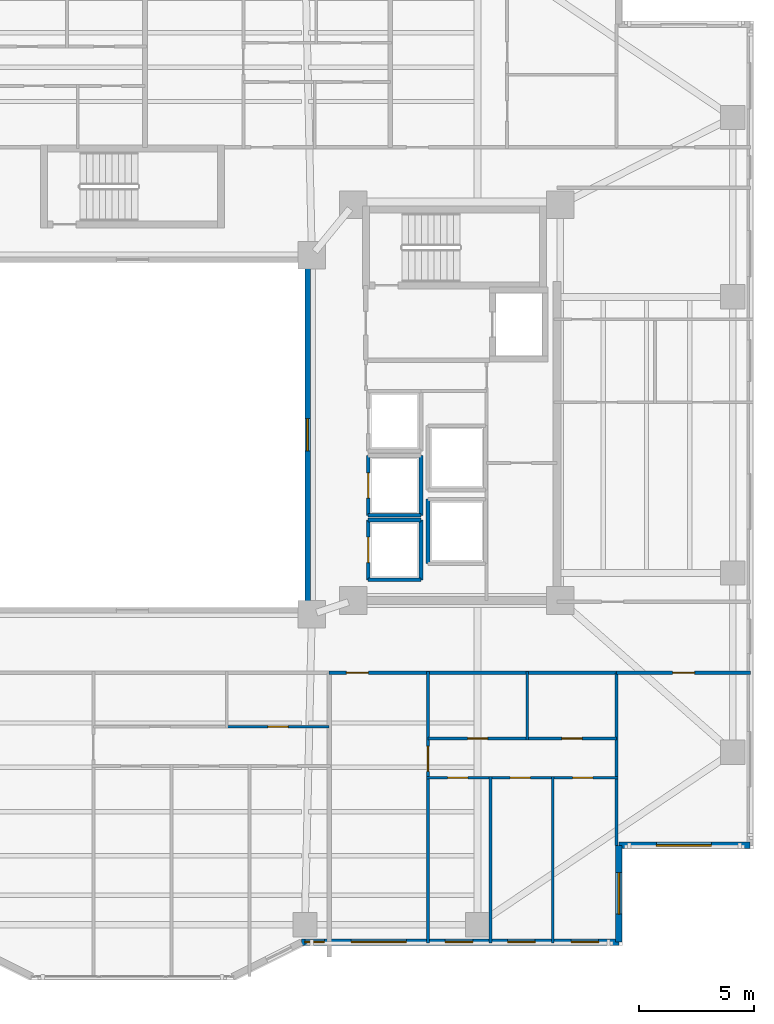
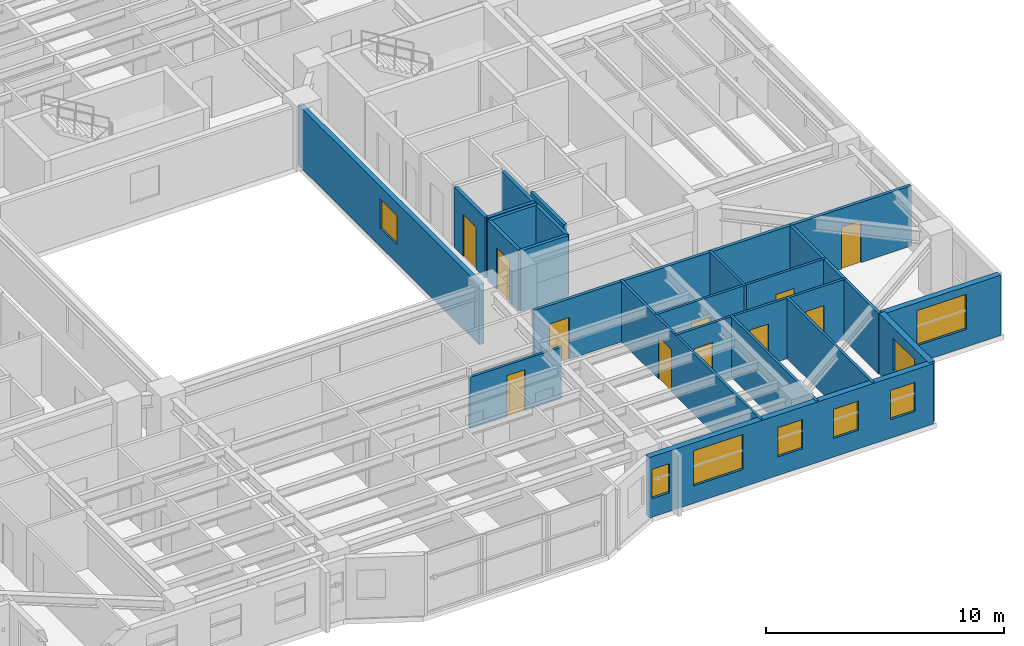
# One storey, part 8 of 19: 23 walls, 11 doors, 8 windows, 19 openings.
"""IFC4 building model written with IfcOpenShell, lengths in metres."""

from ifc_helpers import new_model, si_unit, direction, frame, frame_2d, origin, place, context, subcontext, project, spatial, rectangle, extrude, material, layer, layer_set, type_object, element, fill, save


model = new_model("IFC4")

# Units and contexts
model_context = context("Model", 3, precision=1e-05, world=origin(), true_north=direction((0.0, 1.0)))
body_context = subcontext(model_context, "Body", "Model", "MODEL_VIEW")
ifc_project = project(units=[si_unit("LENGTHUNIT", "METRE"), si_unit("AREAUNIT", "SQUARE_METRE"), si_unit("VOLUMEUNIT", "CUBIC_METRE"), si_unit("PLANEANGLEUNIT", "RADIAN"), si_unit("MASSUNIT", "GRAM", prefix="KILO")], contexts=[model_context])

# Site, building, storey
site_placement = place(None, origin())
site = spatial("IfcSite", under=ifc_project, at=site_placement, CompositionType="ELEMENT")
building_placement = place(site_placement, origin())
building = spatial("IfcBuilding", under=site, at=building_placement, Name="Tarnavaz Court Tower", CompositionType="ELEMENT")
storey_placement = place(building_placement, frame((0.0, 0.0, 111.800048828125)))
storey = spatial("IfcBuildingStorey", under=building, at=storey_placement, Name="L30", CompositionType="ELEMENT", Elevation=111.800048828125)

# Wall, opening, window
ifc_material_1 = material(Name="Precast Concrete C40/50", Category="concrete")
ifc_layer_1 = layer(ifc_material_1, 0.280029296875)
ifc_layer_set_1 = layer_set([ifc_layer_1], Name="Precast Concrete C40/50")
wall_type_1 = type_object("IfcWallType", Name="WL-EXT-280", PredefinedType="SOLIDWALL", material=ifc_layer_set_1)
wall_1_placement = place(storey_placement, frame((26.85009765625, -17.85009765625, 0.0), z_axis=(0.0, 0.0, 1.0), x_axis=(-1.0, 0.0, 0.0)))
wall_1 = element("IfcWall", 1, at=wall_1_placement, inside=storey, type_object=wall_type_1, Name="L30 Exterior Terracotta Facade Wall 13", PredefinedType="SOLIDWALL", context=body_context, shape_type="SweptSolid", body=[
    extrude(rectangle(XDim=5.7001953125, YDim=0.280029296875, at=frame_2d((2.85009765625, 0.0))), origin(), (0.0, 0.0, 1.0), 3.099853515625),
])
opening_1_placement = place(wall_1_placement, frame((1.675048828125, 0.0, 0.89990234375)))
opening_1 = element("IfcOpeningElement", 2, at=opening_1_placement, cuts=wall_1, Name="Opening W06", PredefinedType="OPENING", context=body_context, shape_type="SweptSolid", body=[
    extrude(rectangle(XDim=2.39990234375, YDim=1.800048828125, at=frame_2d((1.199951171875, 0.89990234375))), frame((0.0, 0.14990234375, 0.0), z_axis=(0.0, -1.0, 0.0), x_axis=(1.0, 0.0, 0.0)), (0.0, 0.0, 1.0), 0.300048828125),
])
ifc_material_2 = material(Name="Double-Glazed Solar Low-E Glass", Category="glass")
window_type_1 = type_object("IfcWindowType", Name="WN-APT-2400", PartitioningType="TRIPLE_PANEL_VERTICAL", PredefinedType="WINDOW", material=ifc_material_2)
window_1_placement = place(opening_1_placement, origin())
window_1 = element("IfcWindow", 3, at=window_1_placement, inside=storey, type_object=window_type_1, Name="L30 South-East Corner Reading Room Window", OverallHeight=1.800048828125, OverallWidth=2.39990234375, PartitioningType="SINGLE_PANEL", PredefinedType="WINDOW", context=body_context, shape_type="SweptSolid", body=[
    extrude(rectangle(XDim=2.39990234375, YDim=1.800048828125, at=frame_2d((1.199951171875, 0.89990234375))), frame((0.0, 0.030029296875, 0.0), z_axis=(0.0, -1.0, 0.0), x_axis=(1.0, 0.0, 0.0)), (0.0, 0.0, 1.0), 0.06005859375),
])
fill(opening_1, window_1)

wall_2_placement = place(storey_placement, frame((21.14990234375, -17.85009765625, 0.0), z_axis=(0.0, 0.0, 1.0), x_axis=(0.0, -1.0, 0.0)))
wall_2 = element("IfcWall", 4, at=wall_2_placement, inside=storey, type_object=wall_type_1, Name="L30 Exterior Terracotta Facade Wall 14", PredefinedType="SOLIDWALL", context=body_context, shape_type="SweptSolid", body=[
    extrude(rectangle(XDim=4.199951171875, YDim=0.280029296875, at=frame_2d((2.10009765625, 0.0))), origin(), (0.0, 0.0, 1.0), 3.099853515625),
])
opening_2_placement = place(wall_2_placement, frame((1.18212890625, 0.0, 0.89990234375)))
opening_2 = element("IfcOpeningElement", 5, at=opening_2_placement, cuts=wall_2, Name="Opening W01", PredefinedType="OPENING", context=body_context, shape_type="SweptSolid", body=[
    extrude(rectangle(XDim=1.800048828125, YDim=1.64990234375, at=frame_2d((0.89990234375, 0.824951171875))), frame((0.0, 0.14990234375, 0.0), z_axis=(0.0, -1.0, 0.0), x_axis=(1.0, 0.0, 0.0)), (0.0, 0.0, 1.0), 0.300048828125),
])
window_type_2 = type_object("IfcWindowType", Name="WN-APT-1800", PartitioningType="DOUBLE_PANEL_VERTICAL", PredefinedType="WINDOW", material=ifc_material_2)
window_2_placement = place(opening_2_placement, origin())
window_2 = element("IfcWindow", 6, at=window_2_placement, inside=storey, type_object=window_type_2, Name="L30 Flat 07 Bedroom 3 Window", OverallHeight=1.64990234375, OverallWidth=1.800048828125, PartitioningType="SINGLE_PANEL", PredefinedType="WINDOW", context=body_context, shape_type="SweptSolid", body=[
    extrude(rectangle(XDim=1.800048828125, YDim=1.64990234375, at=frame_2d((0.89990234375, 0.824951171875))), frame((0.0, 0.030029296875, 0.0), z_axis=(0.0, -1.0, 0.0), x_axis=(1.0, 0.0, 0.0)), (0.0, 0.0, 1.0), 0.06005859375),
])
fill(opening_2, window_2)

# Wall, openings, windows
wall_3_placement = place(storey_placement, frame((21.14990234375, -22.050048828125, 0.0), z_axis=(0.0, 0.0, 1.0), x_axis=(-1.0, 0.0, 0.0)))
wall_3 = element("IfcWall", 7, at=wall_3_placement, inside=storey, type_object=wall_type_1, Name="L30 Exterior Terracotta Facade Wall 15", PredefinedType="SOLIDWALL", context=body_context, shape_type="SweptSolid", body=[
    extrude(rectangle(XDim=13.7998046875, YDim=0.280029296875, at=frame_2d((6.89990234375, 0.0))), origin(), (0.0, 0.0, 1.0), 3.099853515625),
])
opening_3_placement = place(wall_3_placement, frame((0.88037109375, 0.0, 0.949951171875)))
opening_3 = element("IfcOpeningElement", 8, at=opening_3_placement, cuts=wall_3, Name="Opening W05", PredefinedType="OPENING", context=body_context, shape_type="SweptSolid", body=[
    extrude(rectangle(XDim=1.199951171875, YDim=1.5, at=frame_2d((0.60009765625, 0.75))), frame((0.0, 0.14990234375, 0.0), z_axis=(0.0, -1.0, 0.0), x_axis=(1.0, 0.0, 0.0)), (0.0, 0.0, 1.0), 0.300048828125),
])
opening_4_placement = place(wall_3_placement, frame((3.640380859375, 0.0, 0.949951171875)))
opening_4 = element("IfcOpeningElement", 9, at=opening_4_placement, cuts=wall_3, Name="Opening W05", PredefinedType="OPENING", context=body_context, shape_type="SweptSolid", body=[
    extrude(rectangle(XDim=1.199951171875, YDim=1.5, at=frame_2d((0.60009765625, 0.75))), frame((0.0, 0.14990234375, 0.0), z_axis=(0.0, -1.0, 0.0), x_axis=(1.0, 0.0, 0.0)), (0.0, 0.0, 1.0), 0.300048828125),
])
opening_5_placement = place(wall_3_placement, frame((6.35009765625, 0.0, 0.949951171875)))
opening_5 = element("IfcOpeningElement", 10, at=opening_5_placement, cuts=wall_3, Name="Opening W05", PredefinedType="OPENING", context=body_context, shape_type="SweptSolid", body=[
    extrude(rectangle(XDim=1.199951171875, YDim=1.5, at=frame_2d((0.60009765625, 0.75))), frame((0.0, 0.14990234375, 0.0), z_axis=(0.0, -1.0, 0.0), x_axis=(1.0, 0.0, 0.0)), (0.0, 0.0, 1.0), 0.300048828125),
])
opening_6_placement = place(wall_3_placement, frame((9.23779296875, 0.0, 0.89990234375)))
opening_6 = element("IfcOpeningElement", 11, at=opening_6_placement, cuts=wall_3, Name="Opening W06", PredefinedType="OPENING", context=body_context, shape_type="SweptSolid", body=[
    extrude(rectangle(XDim=2.39990234375, YDim=1.800048828125, at=frame_2d((1.199951171875, 0.89990234375))), frame((0.0, 0.14990234375, 0.0), z_axis=(0.0, -1.0, 0.0), x_axis=(1.0, 0.0, 0.0)), (0.0, 0.0, 1.0), 0.300048828125),
])
opening_7_placement = place(wall_3_placement, frame((12.802978515625, 0.0, 0.949951171875)))
opening_7 = element("IfcOpeningElement", 12, at=opening_7_placement, cuts=wall_3, Name="Opening W15", PredefinedType="OPENING", context=body_context, shape_type="SweptSolid", body=[
    extrude(rectangle(XDim=0.85009765625, YDim=1.5, at=frame_2d((0.425048828125, 0.75))), frame((0.0, 0.14990234375, 0.0), z_axis=(0.0, -1.0, 0.0), x_axis=(1.0, 0.0, 0.0)), (0.0, 0.0, 1.0), 0.300048828125),
])
window_type_3 = type_object("IfcWindowType", Name="WN-APT-1200", PartitioningType="SINGLE_PANEL", PredefinedType="WINDOW", material=ifc_material_2)
window_3_placement = place(opening_3_placement, origin())
window_3 = element("IfcWindow", 13, at=window_3_placement, inside=storey, type_object=window_type_3, Name="L30 Flat 07 Bedroom 3 Window", OverallHeight=1.5, OverallWidth=1.199951171875, PartitioningType="SINGLE_PANEL", PredefinedType="WINDOW", context=body_context, shape_type="SweptSolid", body=[
    extrude(rectangle(XDim=1.199951171875, YDim=1.5, at=frame_2d((0.60009765625, 0.75))), frame((0.0, 0.030029296875, 0.0), z_axis=(0.0, -1.0, 0.0), x_axis=(1.0, 0.0, 0.0)), (0.0, 0.0, 1.0), 0.06005859375),
])
fill(opening_3, window_3)
window_4_placement = place(opening_4_placement, origin())
window_4 = element("IfcWindow", 14, at=window_4_placement, inside=storey, type_object=window_type_3, Name="L30 Flat 07 Bedroom 2 Window", OverallHeight=1.5, OverallWidth=1.199951171875, PartitioningType="SINGLE_PANEL", PredefinedType="WINDOW", context=body_context, shape_type="SweptSolid", body=[
    extrude(rectangle(XDim=1.199951171875, YDim=1.5, at=frame_2d((0.60009765625, 0.75))), frame((0.0, 0.030029296875, 0.0), z_axis=(0.0, -1.0, 0.0), x_axis=(1.0, 0.0, 0.0)), (0.0, 0.0, 1.0), 0.06005859375),
])
fill(opening_4, window_4)
window_5_placement = place(opening_5_placement, origin())
window_5 = element("IfcWindow", 15, at=window_5_placement, inside=storey, type_object=window_type_3, Name="L30 Flat 07 Principal Bedroom Window", OverallHeight=1.5, OverallWidth=1.199951171875, PartitioningType="SINGLE_PANEL", PredefinedType="WINDOW", context=body_context, shape_type="SweptSolid", body=[
    extrude(rectangle(XDim=1.199951171875, YDim=1.5, at=frame_2d((0.60009765625, 0.75))), frame((0.0, 0.030029296875, 0.0), z_axis=(0.0, -1.0, 0.0), x_axis=(1.0, 0.0, 0.0)), (0.0, 0.0, 1.0), 0.06005859375),
])
fill(opening_5, window_5)
window_6_placement = place(opening_6_placement, origin())
window_6 = element("IfcWindow", 16, at=window_6_placement, inside=storey, type_object=window_type_1, Name="L30 Flat 07 Living and Dining Room Window", OverallHeight=1.800048828125, OverallWidth=2.39990234375, PartitioningType="SINGLE_PANEL", PredefinedType="WINDOW", context=body_context, shape_type="SweptSolid", body=[
    extrude(rectangle(XDim=2.39990234375, YDim=1.800048828125, at=frame_2d((1.199951171875, 0.89990234375))), frame((0.0, 0.030029296875, 0.0), z_axis=(0.0, -1.0, 0.0), x_axis=(1.0, 0.0, 0.0)), (0.0, 0.0, 1.0), 0.06005859375),
])
fill(opening_6, window_6)
window_type_4 = type_object("IfcWindowType", Name="WN-APT-850", PartitioningType="SINGLE_PANEL", PredefinedType="WINDOW", material=ifc_material_2)
window_7_placement = place(opening_7_placement, origin())
window_7 = element("IfcWindow", 17, at=window_7_placement, inside=storey, type_object=window_type_4, Name="L30 Flat 08 Bedroom 3 Window", OverallHeight=1.5, OverallWidth=0.85009765625, PartitioningType="SINGLE_PANEL", PredefinedType="WINDOW", context=body_context, shape_type="SweptSolid", body=[
    extrude(rectangle(XDim=0.85009765625, YDim=1.5, at=frame_2d((0.425048828125, 0.75))), frame((0.0, 0.030029296875, 0.0), z_axis=(0.0, -1.0, 0.0), x_axis=(1.0, 0.0, 0.0)), (0.0, 0.0, 1.0), 0.06005859375),
])
fill(opening_7, window_7)

# Wall, opening, door
ifc_material_3 = material(Name="Gypsum Fire-Board on Acoustic Metal Stud", Category="masonry")
ifc_layer_2 = layer(ifc_material_3, 0.14990234375)
ifc_layer_set_2 = layer_set([ifc_layer_2], Name="Gypsum Fire-Board on Acoustic Metal Stud")
wall_type_2 = type_object("IfcWallType", Name="WL-FIRE-150", PredefinedType="PARTITIONING", material=ifc_layer_set_2)
wall_4_placement = place(storey_placement, frame((8.550048828125, -10.35009765625, 0.0), z_axis=(0.0, 0.0, 1.0), x_axis=(1.0, 0.0, 0.0)))
wall_4 = element("IfcWall", 18, at=wall_4_placement, inside=storey, type_object=wall_type_2, Name="L30 SE Horseshoe Wall 074", PredefinedType="PARTITIONING", context=body_context, shape_type="SweptSolid", body=[
    extrude(rectangle(XDim=12.5, YDim=0.14990234375, at=frame_2d((6.25, 0.0))), origin(), (0.0, 0.0, 1.0), 3.099853515625),
])
opening_8_placement = place(wall_4_placement, frame((0.75, 0.0, 0.0)))
opening_8 = element("IfcOpeningElement", 19, at=opening_8_placement, cuts=wall_4, Name="Opening D06", PredefinedType="OPENING", context=body_context, shape_type="SweptSolid", body=[
    extrude(rectangle(XDim=0.9599609375, YDim=2.14990234375, at=frame_2d((0.47998046875, 1.074951171875))), frame((0.0, 0.0849609375, 0.0), z_axis=(0.0, -1.0, 0.0), x_axis=(1.0, 0.0, 0.0)), (0.0, 0.0, 1.0), 0.169921875),
])
ifc_material_4 = material(Name="Fire-Rated Hardwood Timber Core", Category="wood")
door_type_1 = type_object("IfcDoorType", Name="DR-FD60-950", OperationType="NOTDEFINED", PredefinedType="DOOR", material=ifc_material_4)
door_1_placement = place(opening_8_placement, origin())
door_1 = element("IfcDoor", 20, at=door_1_placement, inside=storey, type_object=door_type_1, Name="L30 Flat 07 Entrance Door", OperationType="SINGLE_SWING_LEFT", OverallHeight=2.14990234375, OverallWidth=0.9599609375, PredefinedType="DOOR", context=body_context, shape_type="SweptSolid", body=[
    extrude(rectangle(XDim=0.9599609375, YDim=2.14990234375, at=frame_2d((0.47998046875, 1.074951171875))), frame((0.0, 0.02490234375, 0.0), z_axis=(0.0, -1.0, 0.0), x_axis=(1.0, 0.0, 0.0)), (0.0, 0.0, 1.0), 0.050048828125),
])
fill(opening_8, door_1)

wall_5_placement = place(storey_placement, frame((21.050048828125, -10.35009765625, 0.0), z_axis=(0.0, 0.0, 1.0), x_axis=(1.0, 0.0, 0.0)))
wall_5 = element("IfcWall", 21, at=wall_5_placement, inside=storey, type_object=wall_type_2, Name="L30 Interior Partition 133", PredefinedType="PARTITIONING", context=body_context, shape_type="SweptSolid", body=[
    extrude(rectangle(XDim=5.829833984375, YDim=0.14990234375, at=frame_2d((2.9150390625, 0.0))), origin(), (0.0, 0.0, 1.0), 3.099853515625),
])
opening_9_placement = place(wall_5_placement, frame((2.43994140625, 0.0, 0.0)))
opening_9 = element("IfcOpeningElement", 22, at=opening_9_placement, cuts=wall_5, Name="Opening D13", PredefinedType="OPENING", context=body_context, shape_type="SweptSolid", body=[
    extrude(rectangle(XDim=0.949951171875, YDim=2.14990234375, at=frame_2d((0.47509765625, 1.074951171875))), frame((0.0, 0.0849609375, 0.0), z_axis=(0.0, -1.0, 0.0), x_axis=(1.0, 0.0, 0.0)), (0.0, 0.0, 1.0), 0.169921875),
])
ifc_material_5 = material(Name="Engineered Oak Timber", Category="wood")
door_type_2 = type_object("IfcDoorType", Name="DR-INT-950", OperationType="NOTDEFINED", PredefinedType="DOOR", material=ifc_material_5)
door_2_placement = place(opening_9_placement, origin())
door_2 = element("IfcDoor", 23, at=door_2_placement, inside=storey, type_object=door_type_2, Name="L30 SE Reading Room Door", OperationType="SINGLE_SWING_RIGHT", OverallHeight=2.14990234375, OverallWidth=0.949951171875, PredefinedType="DOOR", context=body_context, shape_type="SweptSolid", body=[
    extrude(rectangle(XDim=0.949951171875, YDim=2.14990234375, at=frame_2d((0.47509765625, 1.074951171875))), frame((0.0, 0.02490234375, 0.0), z_axis=(0.0, -1.0, 0.0), x_axis=(1.0, 0.0, 0.0)), (0.0, 0.0, 1.0), 0.050048828125),
])
fill(opening_9, door_2)

ifc_material_6 = material(Name="Moisture-Resistant Gypsum Board Partition", Category="masonry")
ifc_layer_3 = layer(ifc_material_6, 0.1201171875)
ifc_layer_set_3 = layer_set([ifc_layer_3], Name="Moisture-Resistant Gypsum Board Partition")
wall_type_3 = type_object("IfcWallType", Name="WL-PART-120", PredefinedType="PARTITIONING", material=ifc_layer_set_3)
wall_6_placement = place(storey_placement, frame((12.85205078125, -22.10009765625, 0.0), z_axis=(0.0, 0.0, 1.0), x_axis=(0.0, 1.0, 0.0)))
wall_6 = element("IfcWall", 24, at=wall_6_placement, inside=storey, type_object=wall_type_3, Name="L30 Interior Partition 105", PredefinedType="PARTITIONING", context=body_context, shape_type="SweptSolid", body=[
    extrude(rectangle(XDim=11.81005859375, YDim=0.1201171875, at=frame_2d((5.905029296875, 0.0))), origin(), (0.0, 0.0, 1.0), 3.099853515625),
])
opening_10_placement = place(wall_6_placement, frame((7.47509765625, 0.0, 0.0)))
opening_10 = element("IfcOpeningElement", 25, at=opening_10_placement, cuts=wall_6, Name="Opening D12", PredefinedType="OPENING", context=body_context, shape_type="SweptSolid", body=[
    extrude(rectangle(XDim=1.080078125, YDim=2.14990234375, at=frame_2d((0.5400390625, 1.074951171875))), frame((0.0, 0.070068359375, 0.0), z_axis=(0.0, -1.0, 0.0), x_axis=(1.0, 0.0, 0.0)), (0.0, 0.0, 1.0), 0.14013671875),
])
door_type_3 = type_object("IfcDoorType", Name="DR-INT-1100", OperationType="NOTDEFINED", PredefinedType="DOOR", material=ifc_material_5)
door_3_placement = place(opening_10_placement, origin())
door_3 = element("IfcDoor", 26, at=door_3_placement, inside=storey, type_object=door_type_3, Name="L30 Flat 07 Foyer Door", OperationType="SINGLE_SWING_RIGHT", OverallHeight=2.14990234375, OverallWidth=1.080078125, PredefinedType="DOOR", context=body_context, shape_type="SweptSolid", body=[
    extrude(rectangle(XDim=1.080078125, YDim=2.14990234375, at=frame_2d((0.5400390625, 1.074951171875))), frame((0.0, 0.02490234375, 0.0), z_axis=(0.0, -1.0, 0.0), x_axis=(1.0, 0.0, 0.0)), (0.0, 0.0, 1.0), 0.050048828125),
])
fill(opening_10, door_3)

wall_7_placement = place(storey_placement, frame((12.85205078125, -13.199951171875, 0.0), z_axis=(0.0, 0.0, 1.0), x_axis=(1.0, 0.0, 0.0)))
wall_7 = element("IfcWall", 27, at=wall_7_placement, inside=storey, type_object=wall_type_3, Name="L30 Interior Partition 106", PredefinedType="PARTITIONING", context=body_context, shape_type="SweptSolid", body=[
    extrude(rectangle(XDim=4.31298828125, YDim=0.1201171875, at=frame_2d((2.156494140625, 0.0))), origin(), (0.0, 0.0, 1.0), 3.099853515625),
])
opening_11_placement = place(wall_7_placement, frame((1.716064453125, 0.0, 0.0)))
opening_11 = element("IfcOpeningElement", 28, at=opening_11_placement, cuts=wall_7, Name="Opening D14", PredefinedType="OPENING", context=body_context, shape_type="SweptSolid", body=[
    extrude(rectangle(XDim=0.8798828125, YDim=2.10009765625, at=frame_2d((0.43994140625, 1.050048828125))), frame((0.0, 0.070068359375, 0.0), z_axis=(0.0, -1.0, 0.0), x_axis=(1.0, 0.0, 0.0)), (0.0, 0.0, 1.0), 0.14013671875),
])
door_type_4 = type_object("IfcDoorType", Name="DR-INT-900", OperationType="NOTDEFINED", PredefinedType="DOOR", material=ifc_material_5)
door_4_placement = place(opening_11_placement, origin())
door_4 = element("IfcDoor", 29, at=door_4_placement, inside=storey, type_object=door_type_4, Name="L30 Flat 07 Kitchen Door", OperationType="SINGLE_SWING_LEFT", OverallHeight=2.10009765625, OverallWidth=0.8798828125, PredefinedType="DOOR", context=body_context, shape_type="SweptSolid", body=[
    extrude(rectangle(XDim=0.8798828125, YDim=2.10009765625, at=frame_2d((0.43994140625, 1.050048828125))), frame((0.0, 0.02490234375, 0.0), z_axis=(0.0, -1.0, 0.0), x_axis=(1.0, 0.0, 0.0)), (0.0, 0.0, 1.0), 0.050048828125),
])
fill(opening_11, door_4)

wall_8_placement = place(storey_placement, frame((17.1650390625, -13.199951171875, 0.0), z_axis=(0.0, 0.0, 1.0), x_axis=(1.0, 0.0, 0.0)))
wall_8 = element("IfcWall", 30, at=wall_8_placement, inside=storey, type_object=wall_type_3, Name="L30 Interior Partition 107", PredefinedType="PARTITIONING", context=body_context, shape_type="SweptSolid", body=[
    extrude(rectangle(XDim=3.885009765625, YDim=0.1201171875, at=frame_2d((1.9423828125, 0.0))), origin(), (0.0, 0.0, 1.0), 3.099853515625),
])
opening_12_placement = place(wall_8_placement, frame((1.5029296875, 0.0, 0.0)))
opening_12 = element("IfcOpeningElement", 31, at=opening_12_placement, cuts=wall_8, Name="Opening D14", PredefinedType="OPENING", context=body_context, shape_type="SweptSolid", body=[
    extrude(rectangle(XDim=0.8798828125, YDim=2.10009765625, at=frame_2d((0.43994140625, 1.050048828125))), frame((0.0, 0.070068359375, 0.0), z_axis=(0.0, -1.0, 0.0), x_axis=(1.0, 0.0, 0.0)), (0.0, 0.0, 1.0), 0.14013671875),
])
door_5_placement = place(opening_12_placement, origin())
door_5 = element("IfcDoor", 32, at=door_5_placement, inside=storey, type_object=door_type_4, Name="L30 Flat 07 Bathroom Door", OperationType="SINGLE_SWING_RIGHT", OverallHeight=2.10009765625, OverallWidth=0.8798828125, PredefinedType="DOOR", context=body_context, shape_type="SweptSolid", body=[
    extrude(rectangle(XDim=0.8798828125, YDim=2.10009765625, at=frame_2d((0.43994140625, 1.050048828125))), frame((0.0, 0.02490234375, 0.0), z_axis=(0.0, -1.0, 0.0), x_axis=(1.0, 0.0, 0.0)), (0.0, 0.0, 1.0), 0.050048828125),
])
fill(opening_12, door_5)

# Wall, openings, doors
wall_9_placement = place(storey_placement, frame((12.7919921875, -14.909912109375, 0.0), z_axis=(0.0, 0.0, 1.0), x_axis=(1.0, 0.0, 0.0)))
wall_9 = element("IfcWall", 33, at=wall_9_placement, inside=storey, type_object=wall_type_3, Name="L30 Interior Partition 108", PredefinedType="PARTITIONING", context=body_context, shape_type="SweptSolid", body=[
    extrude(rectangle(XDim=8.318115234375, YDim=0.1201171875, at=frame_2d((4.1591796875, 0.0))), origin(), (0.0, 0.0, 1.0), 3.099853515625),
])
opening_13_placement = place(wall_9_placement, frame((0.916015625, 0.0, 0.0)))
opening_13 = element("IfcOpeningElement", 34, at=opening_13_placement, cuts=wall_9, Name="Opening D14", PredefinedType="OPENING", context=body_context, shape_type="SweptSolid", body=[
    extrude(rectangle(XDim=0.8798828125, YDim=2.10009765625, at=frame_2d((0.43994140625, 1.050048828125))), frame((0.0, 0.070068359375, 0.0), z_axis=(0.0, -1.0, 0.0), x_axis=(1.0, 0.0, 0.0)), (0.0, 0.0, 1.0), 0.14013671875),
])
opening_14_placement = place(wall_9_placement, frame((3.62890625, 0.0, 0.0)))
opening_14 = element("IfcOpeningElement", 35, at=opening_14_placement, cuts=wall_9, Name="Opening D14", PredefinedType="OPENING", context=body_context, shape_type="SweptSolid", body=[
    extrude(rectangle(XDim=0.8798828125, YDim=2.10009765625, at=frame_2d((0.43994140625, 1.050048828125))), frame((0.0, 0.070068359375, 0.0), z_axis=(0.0, -1.0, 0.0), x_axis=(1.0, 0.0, 0.0)), (0.0, 0.0, 1.0), 0.14013671875),
])
opening_15_placement = place(wall_9_placement, frame((6.342041015625, 0.0, 0.0)))
opening_15 = element("IfcOpeningElement", 36, at=opening_15_placement, cuts=wall_9, Name="Opening D14", PredefinedType="OPENING", context=body_context, shape_type="SweptSolid", body=[
    extrude(rectangle(XDim=0.8798828125, YDim=2.10009765625, at=frame_2d((0.43994140625, 1.050048828125))), frame((0.0, 0.070068359375, 0.0), z_axis=(0.0, -1.0, 0.0), x_axis=(1.0, 0.0, 0.0)), (0.0, 0.0, 1.0), 0.14013671875),
])
door_6_placement = place(opening_13_placement, origin())
door_6 = element("IfcDoor", 37, at=door_6_placement, inside=storey, type_object=door_type_4, Name="L30 Flat 07 Bedroom 1 Door", OperationType="SINGLE_SWING_LEFT", OverallHeight=2.10009765625, OverallWidth=0.8798828125, PredefinedType="DOOR", context=body_context, shape_type="SweptSolid", body=[
    extrude(rectangle(XDim=0.8798828125, YDim=2.10009765625, at=frame_2d((0.43994140625, 1.050048828125))), frame((0.0, 0.02490234375, 0.0), z_axis=(0.0, -1.0, 0.0), x_axis=(1.0, 0.0, 0.0)), (0.0, 0.0, 1.0), 0.050048828125),
])
fill(opening_13, door_6)
door_7_placement = place(opening_14_placement, origin())
door_7 = element("IfcDoor", 38, at=door_7_placement, inside=storey, type_object=door_type_4, Name="L30 Flat 07 Bedroom 2 Door", OperationType="SINGLE_SWING_RIGHT", OverallHeight=2.10009765625, OverallWidth=0.8798828125, PredefinedType="DOOR", context=body_context, shape_type="SweptSolid", body=[
    extrude(rectangle(XDim=0.8798828125, YDim=2.10009765625, at=frame_2d((0.43994140625, 1.050048828125))), frame((0.0, 0.02490234375, 0.0), z_axis=(0.0, -1.0, 0.0), x_axis=(1.0, 0.0, 0.0)), (0.0, 0.0, 1.0), 0.050048828125),
])
fill(opening_14, door_7)
door_8_placement = place(opening_15_placement, origin())
door_8 = element("IfcDoor", 39, at=door_8_placement, inside=storey, type_object=door_type_4, Name="L30 Flat 07 Bedroom 3 Door", OperationType="SINGLE_SWING_LEFT", OverallHeight=2.10009765625, OverallWidth=0.8798828125, PredefinedType="DOOR", context=body_context, shape_type="SweptSolid", body=[
    extrude(rectangle(XDim=0.8798828125, YDim=2.10009765625, at=frame_2d((0.43994140625, 1.050048828125))), frame((0.0, 0.02490234375, 0.0), z_axis=(0.0, -1.0, 0.0), x_axis=(1.0, 0.0, 0.0)), (0.0, 0.0, 1.0), 0.050048828125),
])
fill(opening_15, door_8)

# Walls
wall_10_placement = place(storey_placement, frame((17.1650390625, -13.260009765625, 0.0), z_axis=(0.0, 0.0, 1.0), x_axis=(0.0, 1.0, 0.0)))
element("IfcWall", 40, at=wall_10_placement, inside=storey, type_object=wall_type_3, Name="L30 Interior Partition 109", PredefinedType="PARTITIONING", context=body_context, shape_type="SweptSolid", body=[
    extrude(rectangle(XDim=2.969970703125, YDim=0.1201171875, at=frame_2d((1.48486328125, 0.0))), origin(), (0.0, 0.0, 1.0), 3.099853515625),
])
for number, where, z_axis, x_axis, name in (
    (41, (15.56494140625, -22.10009765625, 0.0), (0.0, 0.0, 1.0), (0.0, 1.0, 0.0), "L30 Interior Partition 110"),
    (42, (18.277099609375, -22.10009765625, 0.0), (0.0, 0.0, 1.0), (0.0, 1.0, 0.0), "L30 Interior Partition 111"),
):
    element("IfcWall", number, at=place(storey_placement, frame(where, z_axis=z_axis, x_axis=x_axis)), inside=storey, type_object=wall_type_3, Name=name, PredefinedType="PARTITIONING", context=body_context, shape_type="SweptSolid", body=[
        extrude(rectangle(XDim=7.25, YDim=0.1201171875, at=frame_2d((3.625, 0.0))), origin(), (0.0, 0.0, 1.0), 3.099853515625),
    ])

# Wall, opening, door
wall_11_placement = place(storey_placement, frame((4.10400390625, -12.68994140625, 0.0), z_axis=(0.0, 0.0, 1.0), x_axis=(1.0, 0.0, 0.0)))
wall_11 = element("IfcWall", 43, at=wall_11_placement, inside=storey, type_object=wall_type_3, Name="L30 Interior Partition 117", PredefinedType="PARTITIONING", context=body_context, shape_type="SweptSolid", body=[
    extrude(rectangle(XDim=4.446044921875, YDim=0.1201171875, at=frame_2d((2.22314453125, 0.0))), origin(), (0.0, 0.0, 1.0), 2.635009765625),
])
opening_16_placement = place(wall_11_placement, frame((1.782958984375, 0.0, 0.0)))
opening_16 = element("IfcOpeningElement", 44, at=opening_16_placement, cuts=wall_11, Name="Opening D14", PredefinedType="OPENING", context=body_context, shape_type="SweptSolid", body=[
    extrude(rectangle(XDim=0.8798828125, YDim=2.10009765625, at=frame_2d((0.43994140625, 1.050048828125))), frame((0.0, 0.070068359375, 0.0), z_axis=(0.0, -1.0, 0.0), x_axis=(1.0, 0.0, 0.0)), (0.0, 0.0, 1.0), 0.14013671875),
])
door_9_placement = place(opening_16_placement, origin())
door_9 = element("IfcDoor", 45, at=door_9_placement, inside=storey, type_object=door_type_4, Name="L30 Flat 08 Bathroom Door", OperationType="SINGLE_SWING_LEFT", OverallHeight=2.10009765625, OverallWidth=0.8798828125, PredefinedType="DOOR", context=body_context, shape_type="SweptSolid", body=[
    extrude(rectangle(XDim=0.8798828125, YDim=2.10009765625, at=frame_2d((0.43994140625, 1.050048828125))), frame((0.0, 0.02490234375, 0.0), z_axis=(0.0, -1.0, 0.0), x_axis=(1.0, 0.0, 0.0)), (0.0, 0.0, 1.0), 0.050048828125),
])
fill(opening_16, door_9)

# Wall
ifc_material_7 = material(Name="Gypsum Plasterboard Acoustic Partition", Category="masonry")
ifc_layer_4 = layer(ifc_material_7, 0.139892578125)
ifc_layer_set_4 = layer_set([ifc_layer_4], Name="Gypsum Plasterboard Acoustic Partition")
wall_type_4 = type_object("IfcWallType", Name="WL-PART-150", PredefinedType="PARTITIONING", material=ifc_layer_set_4)
wall_12_placement = place(storey_placement, frame((21.050048828125, -17.85009765625, 0.0), z_axis=(0.0, 0.0, 1.0), x_axis=(0.0, 1.0, 0.0)))
element("IfcWall", 46, at=wall_12_placement, inside=storey, type_object=wall_type_4, Name="L30 Interior Partition 127", PredefinedType="PARTITIONING", context=body_context, shape_type="SweptSolid", body=[
    extrude(rectangle(XDim=7.5, YDim=0.139892578125, at=frame_2d((3.75, 0.0))), origin(), (0.0, 0.0, 1.0), 3.099853515625),
])

# Wall, opening, door
ifc_material_8 = material(Name="Autoclaved Aerated Concrete Blockwork", Category="masonry")
ifc_layer_5 = layer(ifc_material_8, 0.159912109375)
ifc_layer_set_5 = layer_set([ifc_layer_5], Name="Autoclaved Aerated Concrete Blockwork")
wall_type_5 = type_object("IfcWallType", Name="WL-SHAFT-150", PredefinedType="SOLIDWALL", material=ifc_layer_set_5)
wall_13_placement = place(storey_placement, frame((10.25, -6.300048828125, 0.0), z_axis=(0.0, 0.0, 1.0), x_axis=(0.0, 1.0, 0.0)))
wall_13 = element("IfcWall", 47, at=wall_13_placement, inside=storey, type_object=wall_type_5, Name="L30 Lift PL-M1 Shaft Wall 037", PredefinedType="SOLIDWALL", context=body_context, shape_type="SweptSolid", body=[
    extrude(rectangle(XDim=2.60009765625, YDim=0.159912109375, at=frame_2d((1.300048828125, 0.0))), origin(), (0.0, 0.0, 1.0), 3.099853515625),
])
opening_17_placement = place(wall_13_placement, frame((0.75, 0.0, 0.0)))
opening_17 = element("IfcOpeningElement", 48, at=opening_17_placement, cuts=wall_13, Name="Opening LD1", PredefinedType="OPENING", context=body_context, shape_type="SweptSolid", body=[
    extrude(rectangle(XDim=1.10009765625, YDim=2.14990234375, at=frame_2d((0.550048828125, 1.074951171875))), frame((0.0, 0.08984375, 0.0), z_axis=(0.0, -1.0, 0.0), x_axis=(1.0, 0.0, 0.0)), (0.0, 0.0, 1.0), 0.179931640625),
])
ifc_material_9 = material(Name="Stainless Steel", Category="steel")
door_type_5 = type_object("IfcDoorType", Name="DR-LD-1100", OperationType="NOTDEFINED", PredefinedType="DOOR", material=ifc_material_9)
door_10_placement = place(opening_17_placement, origin())
door_10 = element("IfcDoor", 49, at=door_10_placement, inside=storey, type_object=door_type_5, Name="L30 Lift Landing Door LD-PL-M1", OperationType="SLIDING_TO_LEFT", OverallHeight=2.14990234375, OverallWidth=1.10009765625, PredefinedType="DOOR", context=body_context, shape_type="SweptSolid", body=[
    extrude(rectangle(XDim=1.10009765625, YDim=2.14990234375, at=frame_2d((0.550048828125, 1.074951171875))), frame((0.0, 0.02490234375, 0.0), z_axis=(0.0, -1.0, 0.0), x_axis=(1.0, 0.0, 0.0)), (0.0, 0.0, 1.0), 0.050048828125),
])
fill(opening_17, door_10)

# Walls
wall_14_placement = place(storey_placement, frame((12.550048828125, -6.300048828125, 0.0), z_axis=(0.0, 0.0, 1.0), x_axis=(0.0, 1.0, 0.0)))
element("IfcWall", 50, at=wall_14_placement, inside=storey, type_object=wall_type_5, Name="L30 Lift PL-M1 Shaft Wall 038", PredefinedType="SOLIDWALL", context=body_context, shape_type="SweptSolid", body=[
    extrude(rectangle(XDim=2.60009765625, YDim=0.159912109375, at=frame_2d((1.300048828125, 0.0))), origin(), (0.0, 0.0, 1.0), 3.099853515625),
])
for number, where, z_axis, x_axis, name in (
    (51, (10.25, -6.300048828125, 0.0), (0.0, 0.0, 1.0), (1.0, 0.0, 0.0), "L30 Lift PL-M1 Shaft Wall 039"),
    (52, (10.25, -3.699951171875, 0.0), (0.0, 0.0, 1.0), (1.0, 0.0, 0.0), "L30 Lift PL-M1 Shaft Wall 040"),
):
    element("IfcWall", number, at=place(storey_placement, frame(where, z_axis=z_axis, x_axis=x_axis)), inside=storey, type_object=wall_type_5, Name=name, PredefinedType="SOLIDWALL", context=body_context, shape_type="SweptSolid", body=[
        extrude(rectangle(XDim=2.300048828125, YDim=0.159912109375, at=frame_2d((1.14990234375, 0.0))), origin(), (0.0, 0.0, 1.0), 3.099853515625),
    ])

# Wall, opening, door
wall_15_placement = place(storey_placement, frame((10.25, -3.5, 0.0), z_axis=(0.0, 0.0, 1.0), x_axis=(0.0, 1.0, 0.0)))
wall_15 = element("IfcWall", 53, at=wall_15_placement, inside=storey, type_object=wall_type_5, Name="L30 Lift PL-M2 Shaft Wall 041", PredefinedType="SOLIDWALL", context=body_context, shape_type="SweptSolid", body=[
    extrude(rectangle(XDim=2.60009765625, YDim=0.159912109375, at=frame_2d((1.300048828125, 0.0))), origin(), (0.0, 0.0, 1.0), 3.099853515625),
])
opening_18_placement = place(wall_15_placement, frame((0.75, 0.0, 0.0)))
opening_18 = element("IfcOpeningElement", 54, at=opening_18_placement, cuts=wall_15, Name="Opening LD1", PredefinedType="OPENING", context=body_context, shape_type="SweptSolid", body=[
    extrude(rectangle(XDim=1.10009765625, YDim=2.14990234375, at=frame_2d((0.550048828125, 1.074951171875))), frame((0.0, 0.08984375, 0.0), z_axis=(0.0, -1.0, 0.0), x_axis=(1.0, 0.0, 0.0)), (0.0, 0.0, 1.0), 0.179931640625),
])
door_11_placement = place(opening_18_placement, origin())
door_11 = element("IfcDoor", 55, at=door_11_placement, inside=storey, type_object=door_type_5, Name="L30 Lift Landing Door LD-PL-M2", OperationType="SLIDING_TO_LEFT", OverallHeight=2.14990234375, OverallWidth=1.10009765625, PredefinedType="DOOR", context=body_context, shape_type="SweptSolid", body=[
    extrude(rectangle(XDim=1.10009765625, YDim=2.14990234375, at=frame_2d((0.550048828125, 1.074951171875))), frame((0.0, 0.02490234375, 0.0), z_axis=(0.0, -1.0, 0.0), x_axis=(1.0, 0.0, 0.0)), (0.0, 0.0, 1.0), 0.050048828125),
])
fill(opening_18, door_11)

# Walls
wall_16_placement = place(storey_placement, frame((12.550048828125, -3.5, 0.0), z_axis=(0.0, 0.0, 1.0), x_axis=(0.0, 1.0, 0.0)))
element("IfcWall", 56, at=wall_16_placement, inside=storey, type_object=wall_type_5, Name="L30 Lift PL-M2 Shaft Wall 042", PredefinedType="SOLIDWALL", context=body_context, shape_type="SweptSolid", body=[
    extrude(rectangle(XDim=2.60009765625, YDim=0.159912109375, at=frame_2d((1.300048828125, 0.0))), origin(), (0.0, 0.0, 1.0), 3.099853515625),
])
wall_17_placement = place(storey_placement, frame((10.25, -3.5, 0.0), z_axis=(0.0, 0.0, 1.0), x_axis=(1.0, 0.0, 0.0)))
element("IfcWall", 57, at=wall_17_placement, inside=storey, type_object=wall_type_5, Name="L30 Lift PL-M2 Shaft Wall 043", PredefinedType="SOLIDWALL", context=body_context, shape_type="SweptSolid", body=[
    extrude(rectangle(XDim=2.300048828125, YDim=0.159912109375, at=frame_2d((1.14990234375, 0.0))), origin(), (0.0, 0.0, 1.0), 3.099853515625),
])
wall_18_placement = place(storey_placement, frame((12.85009765625, -5.60009765625, 0.0), z_axis=(0.0, 0.0, 1.0), x_axis=(0.0, 1.0, 0.0)))
element("IfcWall", 58, at=wall_18_placement, inside=storey, type_object=wall_type_5, Name="L30 Lift PL-OB1 Shaft Wall 049", PredefinedType="SOLIDWALL", context=body_context, shape_type="SweptSolid", body=[
    extrude(rectangle(XDim=2.800048828125, YDim=0.159912109375, at=frame_2d((1.39990234375, 0.0))), origin(), (0.0, 0.0, 1.0), 3.099853515625),
])

# Wall, opening, window
ifc_layer_6 = layer(ifc_material_1, 0.239990234375)
ifc_layer_set_6 = layer_set([ifc_layer_6], Name="Precast Concrete C40/50")
wall_type_6 = type_object("IfcWallType", Name="WL-WELL-240", PredefinedType="SOLIDWALL", material=ifc_layer_set_6)
wall_19_placement = place(storey_placement, frame((7.6201171875, -7.6201171875, 0.0), z_axis=(0.0, 0.0, 1.0), x_axis=(0.0, 1.0, 0.0)))
wall_19 = element("IfcWall", 59, at=wall_19_placement, inside=storey, type_object=wall_type_6, Name="L30 Badgir Light-Well Exterior Wall E", PredefinedType="SOLIDWALL", context=body_context, shape_type="SweptSolid", body=[
    extrude(rectangle(XDim=15.240234375, YDim=0.239990234375, at=frame_2d((7.6201171875, 0.0))), origin(), (0.0, 0.0, 1.0), 3.099853515625),
])
opening_19_placement = place(wall_19_placement, frame((6.919921875, 0.0, 0.949951171875)))
opening_19 = element("IfcOpeningElement", 60, at=opening_19_placement, cuts=wall_19, Name="Opening W13", PredefinedType="OPENING", context=body_context, shape_type="SweptSolid", body=[
    extrude(rectangle(XDim=1.39990234375, YDim=1.5, at=frame_2d((0.699951171875, 0.75))), frame((0.0, 0.1298828125, 0.0), z_axis=(0.0, -1.0, 0.0), x_axis=(1.0, 0.0, 0.0)), (0.0, 0.0, 1.0), 0.260009765625),
])
window_type_5 = type_object("IfcWindowType", Name="WN-WEL-1400", PartitioningType="SINGLE_PANEL", PredefinedType="WINDOW", material=ifc_material_2)
window_8_placement = place(opening_19_placement, origin())
window_8 = element("IfcWindow", 61, at=window_8_placement, inside=storey, type_object=window_type_5, Name="L30 Courtyard Gallery Window E", OverallHeight=1.5, OverallWidth=1.39990234375, PartitioningType="SINGLE_PANEL", PredefinedType="WINDOW", context=body_context, shape_type="SweptSolid", body=[
    extrude(rectangle(XDim=1.39990234375, YDim=1.5, at=frame_2d((0.699951171875, 0.75))), frame((0.0, 0.030029296875, 0.0), z_axis=(0.0, -1.0, 0.0), x_axis=(1.0, 0.0, 0.0)), (0.0, 0.0, 1.0), 0.06005859375),
])
fill(opening_19, window_8)

save(model, "model.ifc")
